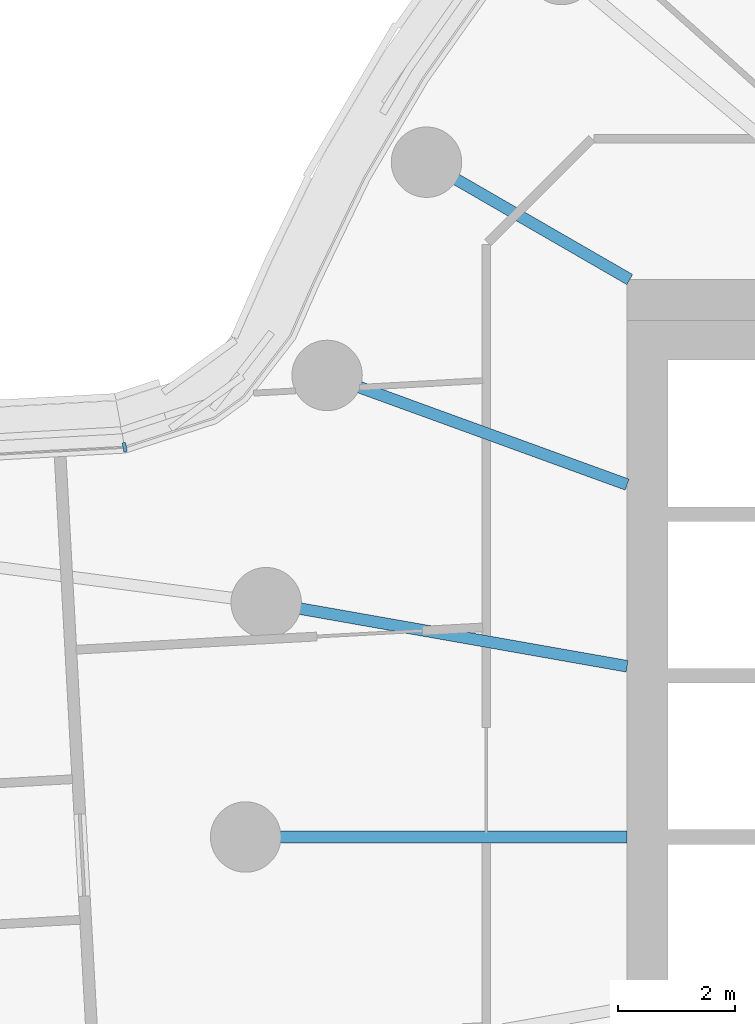
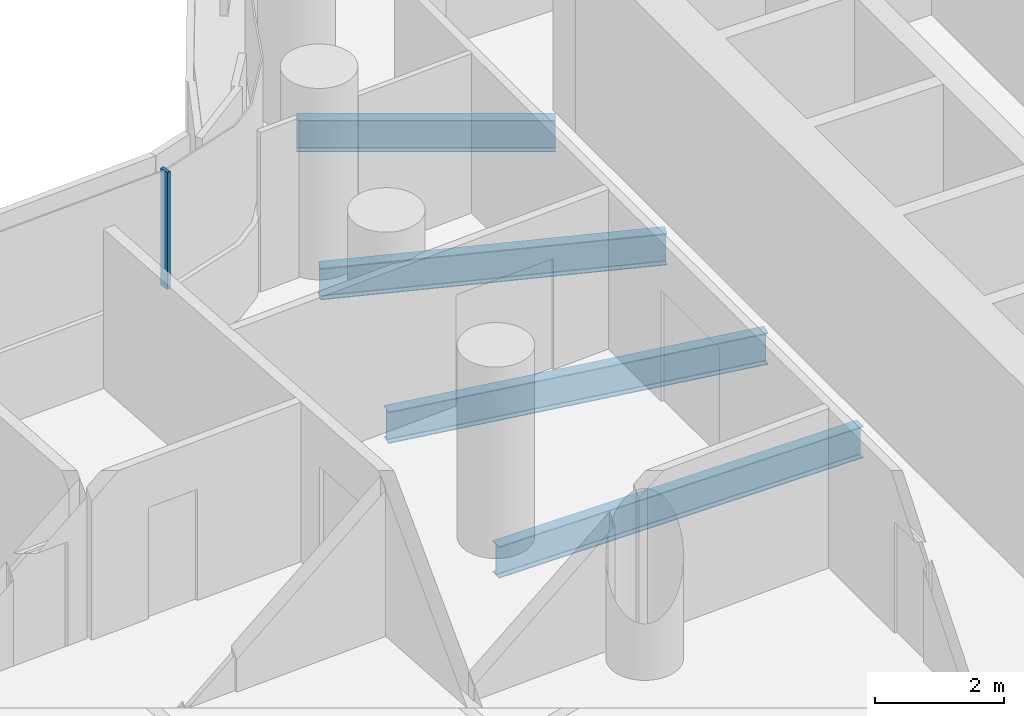
# One storey, part 7 of 31: 4 beams, 1 member, 1 element without a shape of its own.
"""IFC4 building model written with IfcOpenShell, lengths in metres."""

from ifc_helpers import new_model, si_unit, direction, frame, origin, origin_2d, place, context, subcontext, project, spatial, rectangle, i_section, extrude, material, layer, layer_set, material_profile, profile_set, type_object, element, aggregate, save


model = new_model("IFC4")

# Units and contexts
model_context = context("Model", 3, precision=1e-05, world=origin(), true_north=direction((0.0, 1.0)))
body_context = subcontext(model_context, "Body", "Model", "MODEL_VIEW")
ifc_project = project(units=[si_unit("LENGTHUNIT", "METRE"), si_unit("AREAUNIT", "SQUARE_METRE"), si_unit("VOLUMEUNIT", "CUBIC_METRE"), si_unit("PLANEANGLEUNIT", "RADIAN"), si_unit("MASSUNIT", "GRAM", prefix="KILO")], contexts=[model_context])

# Site, building, storey
site_placement = place(None, origin())
site = spatial("IfcSite", under=ifc_project, at=site_placement, CompositionType="ELEMENT")
building_placement = place(site_placement, origin())
building = spatial("IfcBuilding", under=site, at=building_placement, Name="Tamarind Cross Interchange Tower", CompositionType="ELEMENT")
storey_placement = place(building_placement, frame((0.0, 0.0, 45.25)))
storey = spatial("IfcBuildingStorey", under=building, at=storey_placement, Name="L09", CompositionType="ELEMENT", Elevation=45.25)

# Beams
ifc_material_1 = material(Name="Steel Q355B", Category="steel")
ifc_material_profile_1 = material_profile(ifc_material_1, i_section(OverallWidth=0.198974609375, OverallDepth=0.595947265625, WebThickness=0.010009765625, FlangeThickness=0.014892578125, FilletRadius=0.012939453125, at=origin_2d()), Name="HN 596x199x10x15")
ifc_profile_set_1 = profile_set([ifc_material_profile_1], Name="Steel Q355B")
beam_type = type_object("IfcBeamType", Name="Composite beam HN 596x199x10x15 Q355B", PredefinedType="BEAM", material=ifc_profile_set_1)
beam_1_placement = place(storey_placement, frame((-19.918701171875, 11.5, -0.43798828125), z_axis=(0.866026010844, -0.49999894854, 0.0), x_axis=(0.49999894854, 0.866026010844, 0.0)))
element("IfcBeam", 1, at=beam_1_placement, inside=storey, type_object=beam_type, Name="Beam HH15", PredefinedType="BEAM", context=body_context, shape_type="SweptSolid", body=[
    extrude(i_section(OverallWidth=0.198974609375, OverallDepth=0.595947265625, WebThickness=0.010009765625, FlangeThickness=0.014892578125, FilletRadius=0.012939453125, at=origin_2d()), origin(), (0.0, 0.0, 1.0), 4.0),
])
beam_2_placement = place(storey_placement, frame((-21.613037109375, 7.866455078125, -0.43798828125), z_axis=(0.939701685589, -0.341995236956, 0.0), x_axis=(0.341995236956, 0.939701685589, 0.0)))
element("IfcBeam", 2, at=beam_2_placement, inside=storey, type_object=beam_type, Name="Beam HH16", PredefinedType="BEAM", context=body_context, shape_type="SweptSolid", body=[
    extrude(i_section(OverallWidth=0.198974609375, OverallDepth=0.595947265625, WebThickness=0.010009765625, FlangeThickness=0.014892578125, FilletRadius=0.012939453125, at=origin_2d()), origin(), (0.0, 0.0, 1.0), 5.441162109375),
])
beam_3_placement = place(storey_placement, frame((-22.650634765625, 3.993896484375, -0.43798828125), z_axis=(0.984809127561, -0.173640382036, 0.0), x_axis=(0.173640382036, 0.984809127561, 0.0)))
element("IfcBeam", 3, at=beam_3_placement, inside=storey, type_object=beam_type, Name="Beam HH17", PredefinedType="BEAM", context=body_context, shape_type="SweptSolid", body=[
    extrude(i_section(OverallWidth=0.198974609375, OverallDepth=0.595947265625, WebThickness=0.010009765625, FlangeThickness=0.014892578125, FilletRadius=0.012939453125, at=origin_2d()), origin(), (0.0, 0.0, 1.0), 6.24560546875),
])
beam_4_placement = place(storey_placement, frame((-23.0, 0.0, -0.43798828125), z_axis=(1.0, 0.0, 0.0), x_axis=(0.0, 1.0, 0.0)))
element("IfcBeam", 4, at=beam_4_placement, inside=storey, type_object=beam_type, Name="Beam HH18", PredefinedType="BEAM", context=body_context, shape_type="SweptSolid", body=[
    extrude(i_section(OverallWidth=0.198974609375, OverallDepth=0.595947265625, WebThickness=0.010009765625, FlangeThickness=0.014892578125, FilletRadius=0.012939453125, at=origin_2d()), origin(), (0.0, 0.0, 1.0), 6.5),
])

# Curtain wall, member
ifc_material_2 = material(Name="Aluminium 6063-T6", Category="aluminium")
ifc_layer = layer(ifc_material_2, 0.159912109375)
ifc_layer_set = layer_set([ifc_layer], Name="Aluminium 6063-T6")
curtain_wall_type = type_object("IfcCurtainWallType", Name="Office curtain wall, 9.0 m bays", PredefinedType="NOTDEFINED", material=ifc_layer_set)
curtain_wall_placement = place(storey_placement, origin())
curtain_wall = element("IfcCurtainWall", 5, at=curtain_wall_placement, inside=storey, type_object=curtain_wall_type, Name="CWS-L09-15", PredefinedType="NOTDEFINED")
ifc_material_profile_2 = material_profile(ifc_material_2, rectangle(XDim=0.06005859375, YDim=0.159912109375, at=origin_2d()), Name="Mullion CW1")
ifc_profile_set_2 = profile_set([ifc_material_profile_2], Name="Aluminium 6063-T6")
member_type = type_object("IfcMemberType", Name="Mullion CW1", PredefinedType="MULLION", material=ifc_profile_set_2)
member_placement = place(storey_placement, frame((-25.0615234375, 6.642578125, 1.39990234375), z_axis=(0.0, 0.0, 1.0), x_axis=(-0.983007338406, -0.183566262262, 0.0)))
member = element("IfcMember", 6, at=member_placement, type_object=member_type, Name="CWM-L09-15-00", PredefinedType="MULLION", context=body_context, shape_type="SweptSolid", body=[
    extrude(rectangle(XDim=0.06005859375, YDim=0.159912109375, at=origin_2d()), origin(), (0.0, 0.0, 1.0), 2.210205078125),
])
aggregate(curtain_wall, [member])

save(model, "model.ifc")
